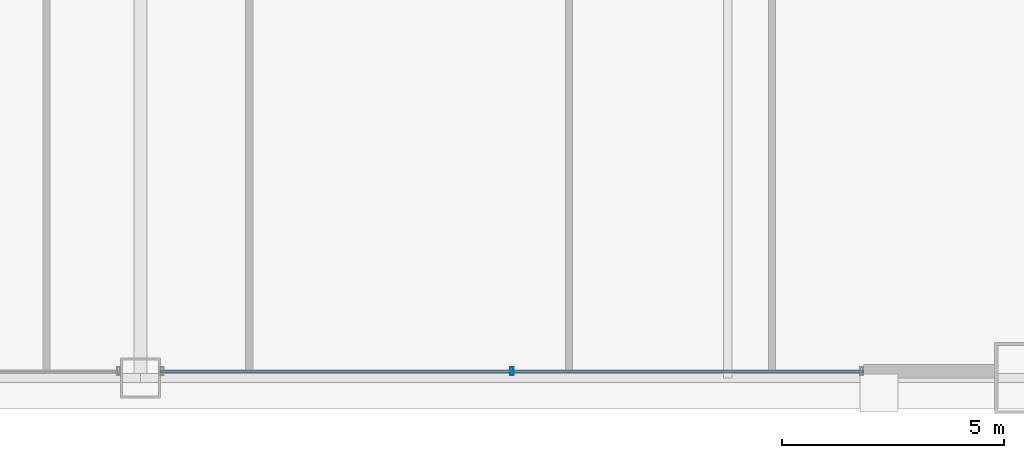
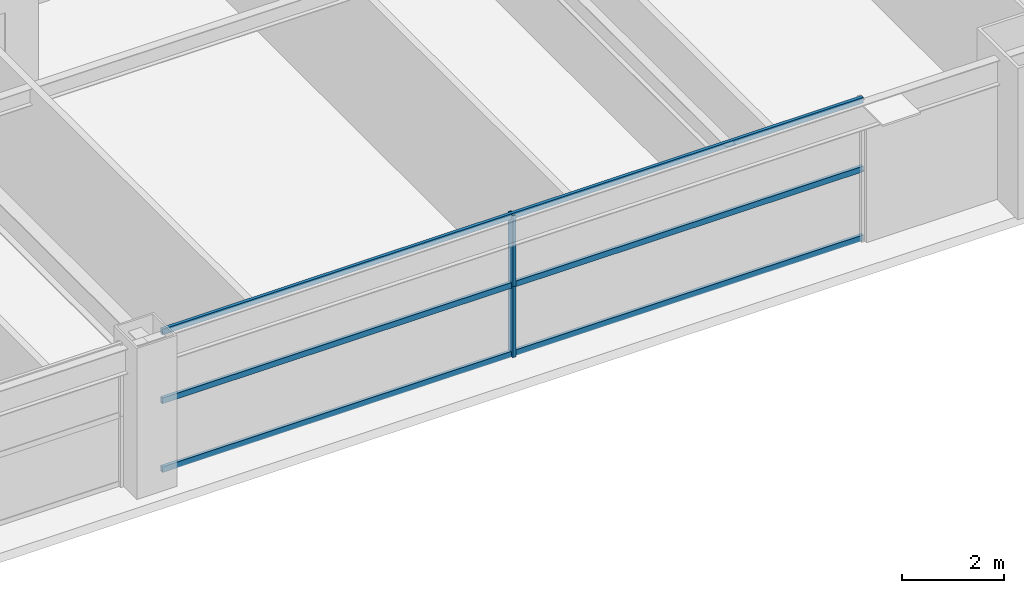
# One storey, part 13 of 38: 5 members, 1 element without a shape of its own.
"""IFC4 building model written with IfcOpenShell, lengths in metres."""

from ifc_helpers import new_model, si_unit, direction, frame, origin, origin_2d, place, context, subcontext, project, spatial, hollow_rectangle, extrude, source, transform, mapped, material, layer, layer_set, material_profile, profile_set, type_object, element, aggregate, save


model = new_model("IFC4")

# Units and contexts
model_context = context("Model", 3, precision=1e-05, world=origin(), true_north=direction((0.0, 1.0)))
body_context = subcontext(model_context, "Body", "Model", "MODEL_VIEW")
ifc_project = project(units=[si_unit("LENGTHUNIT", "METRE"), si_unit("AREAUNIT", "SQUARE_METRE"), si_unit("VOLUMEUNIT", "CUBIC_METRE"), si_unit("PLANEANGLEUNIT", "RADIAN"), si_unit("MASSUNIT", "GRAM", prefix="KILO"), si_unit("THERMODYNAMICTEMPERATUREUNIT", "KELVIN"), si_unit("POWERUNIT", "WATT")], contexts=[model_context])

# Site, building, storey
site_placement = place(None, origin())
site = spatial("IfcSite", under=ifc_project, at=site_placement, CompositionType="ELEMENT")
building_placement = place(site_placement, origin())
building = spatial("IfcBuilding", under=site, at=building_placement, Name="Yuzanri Waterfront Tower", CompositionType="ELEMENT")
storey_placement = place(building_placement, frame((0.0, 0.0, 97.39990234375)))
storey = spatial("IfcBuildingStorey", under=building, at=storey_placement, Name="L25", CompositionType="ELEMENT", Elevation=97.39990234375)

# Curtain wall, members
ifc_material_1 = material(Name="Anodized Architectural Bronze", Category="metal")
ifc_layer = layer(ifc_material_1, 0.159912109375)
ifc_layer_set = layer_set([ifc_layer], Name="Anodized Architectural Bronze")
curtain_wall_type = type_object("IfcCurtainWallType", Name="Anodized Bronze Hotel Upper-Tier Solar-Control Unitized Curtain Wall 7800", PredefinedType="NOTDEFINED", material=ifc_layer_set)
curtain_wall_placement = place(storey_placement, origin())
curtain_wall = element("IfcCurtainWall", 1, at=curtain_wall_placement, inside=storey, type_object=curtain_wall_type, Name="L25 Curtain Wall CW-L25-SR", PredefinedType="NOTDEFINED")
ifc_material_2 = material(Name="Anodized Architectural Bronze", Category="metal")
ifc_material_profile_1 = material_profile(ifc_material_2, hollow_rectangle(XDim=0.070068359375, YDim=0.179931640625, WallThickness=0.00390625, at=origin_2d()), Name="CWM 70x180")
ifc_profile_set_1 = profile_set([ifc_material_profile_1], Name="Anodized Architectural Bronze")
member_type_1 = type_object("IfcMemberType", Name="Anodized Bronze Standard Curtain-Wall Mullion 70x180", PredefinedType="MULLION", material=ifc_profile_set_1)
shared_shape_1 = source(origin(), body_context, "Body", "SweptSolid", [
    extrude(hollow_rectangle(XDim=0.070068359375, YDim=0.179931640625, WallThickness=0.00390625, at=origin_2d()), origin(), (0.0, 0.0, 1.0), 1.68798828125),
])
member_1_placement = place(storey_placement, frame((45.35009765625, 2.35009765625, 0.0), z_axis=(0.0, 0.0, 1.0), x_axis=(1.0, 0.0, 0.0)))
member_1 = element("IfcMember", 2, at=member_1_placement, type_object=member_type_1, Name="CW-L25-SR Lower Mullion 01", PredefinedType="MULLION", context=body_context, shape_type="MappedRepresentation", body=[
    mapped(shared_shape_1, transform((0.0, 0.0, 0.0), scale=1.0)),
])
member_2_placement = place(storey_placement, frame((45.35009765625, 2.35009765625, 1.692138671875), z_axis=(0.0, 0.0, 1.0), x_axis=(1.0, 0.0, 0.0)))
member_2 = element("IfcMember", 3, at=member_2_placement, type_object=member_type_1, Name="CW-L25-SR Upper Mullion 01", PredefinedType="MULLION", context=body_context, shape_type="MappedRepresentation", body=[
    mapped(shared_shape_1, transform((0.0, 0.0, 0.0), scale=1.0)),
])
ifc_material_3 = material(Name="Anodized Architectural Bronze", Category="metal")
ifc_material_profile_2 = material_profile(ifc_material_3, hollow_rectangle(XDim=0.070068359375, YDim=0.135009765625, WallThickness=0.00341796875, at=origin_2d()), Name="CWT 70x135")
ifc_profile_set_2 = profile_set([ifc_material_profile_2], Name="Anodized Architectural Bronze")
member_type_2 = type_object("IfcMemberType", Name="Anodized Bronze Standard Curtain-Wall Transom 70x135", PredefinedType="USERDEFINED", material=ifc_profile_set_2)
shared_shape_2 = source(origin(), body_context, "Body", "SweptSolid", [
    extrude(hollow_rectangle(XDim=0.070068359375, YDim=0.135009765625, WallThickness=0.00341796875, at=origin_2d()), origin(), (0.0, 0.0, 1.0), 15.800048828125),
])
member_3_placement = place(storey_placement, frame((37.449951171875, 2.35009765625, 0.050048828125), z_axis=(1.0, 0.0, 0.0), x_axis=(0.0, 1.0, 0.0)))
member_3 = element("IfcMember", 4, at=member_3_placement, type_object=member_type_2, Name="CW-L25-SR Transom 1", ObjectType="TRANSOM", PredefinedType="USERDEFINED", context=body_context, shape_type="MappedRepresentation", body=[
    mapped(shared_shape_2, transform((0.0, 0.0, 0.0), scale=1.0)),
])
member_4_placement = place(storey_placement, frame((37.449951171875, 2.35009765625, 1.690185546875), z_axis=(1.0, 0.0, 0.0), x_axis=(0.0, 1.0, 0.0)))
member_4 = element("IfcMember", 5, at=member_4_placement, type_object=member_type_2, Name="CW-L25-SR Transom 2", ObjectType="TRANSOM", PredefinedType="USERDEFINED", context=body_context, shape_type="MappedRepresentation", body=[
    mapped(shared_shape_2, transform((0.0, 0.0, 0.0), scale=1.0)),
])
member_5_placement = place(storey_placement, frame((37.449951171875, 2.35009765625, 3.330078125), z_axis=(1.0, 0.0, 0.0), x_axis=(0.0, 1.0, 0.0)))
member_5 = element("IfcMember", 6, at=member_5_placement, type_object=member_type_2, Name="CW-L25-SR Transom 3", ObjectType="TRANSOM", PredefinedType="USERDEFINED", context=body_context, shape_type="MappedRepresentation", body=[
    mapped(shared_shape_2, transform((0.0, 0.0, 0.0), scale=1.0)),
])
aggregate(curtain_wall, [member_1, member_2, member_3, member_4, member_5])

save(model, "model.ifc")
